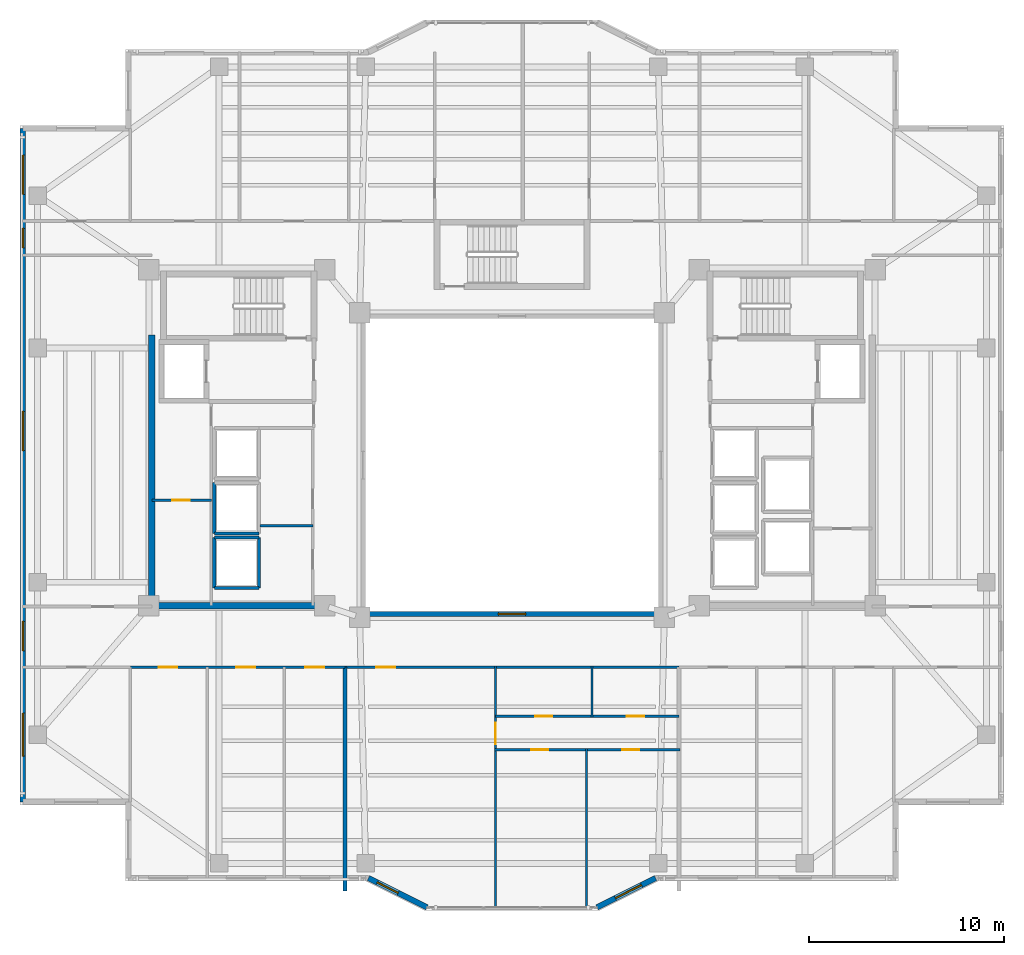
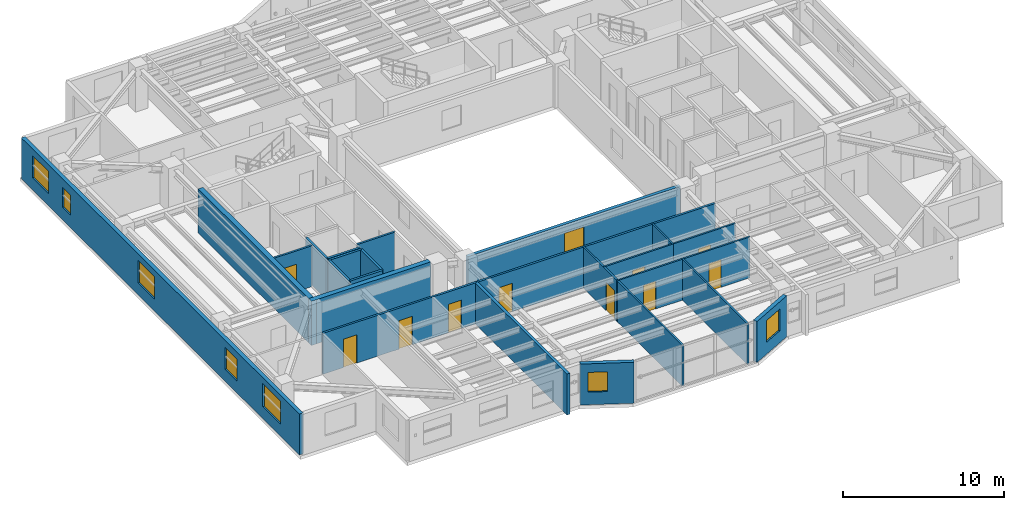
# One storey, part 6 of 15: 23 walls, 10 doors, 8 windows, 18 openings.
"""IFC4 building model written with IfcOpenShell, lengths in metres."""

import ifcopenshell
import ifcopenshell.guid

model = None  # the IFC model being written
_history = None  # IfcOwnerHistory: only IFC2X3 demands one
_inside = {}  # id of a spatial element -> (the spatial element, [elements in it])
_under = {}  # id of a project, library or spatial element -> (it, [spatial elements below it])
_declared = {}  # id of a project -> (the project, [libraries it declares])
_typed = {}  # id of a type object -> (the type object, [elements of that type])
_made_of = {}  # id of a material, layer set ... -> (it, [elements and type objects made of it])


def new_model(schema):
    """Start an empty IFC model of exactly this schema.

    Asked for "IFC4X3", IfcOpenShell would pick the latest addendum, in which some entities
    have other attributes; the version numbers below select the first issue.
    IFC2X3 requires an IfcOwnerHistory on every rooted entity: one is made here for all.
    """
    global model, _history
    if schema == "IFC4X3":
        model = ifcopenshell.file(schema_version=(4, 3, 0, 0))
    else:
        model = ifcopenshell.file(schema=schema)
    _inside.clear()
    _under.clear()
    _declared.clear()
    _typed.clear()
    _made_of.clear()
    _history = None
    if model.schema == "IFC2X3":
        org = make("IfcOrganization", Name="unknown")
        user = make(
            "IfcPersonAndOrganization",
            ThePerson=make("IfcPerson", FamilyName="unknown"),
            TheOrganization=org,
        )
        app = make(
            "IfcApplication",
            ApplicationDeveloper=org,
            Version="unknown",
            ApplicationFullName="unknown",
            ApplicationIdentifier="unknown",
        )
        _history = make(
            "IfcOwnerHistory",
            OwningUser=user,
            OwningApplication=app,
            ChangeAction="ADDED",
            CreationDate=0,
        )
    return model


def make(cls, **values):
    """One entity of the class cls with the attributes given. An attribute that is None is left unset."""
    return model.create_entity(
        cls, **{name: value for name, value in values.items() if value is not None}
    )


def rooted(cls, **values):
    """An entity with a GlobalId (a new one), such as an element, a storey or a relation."""
    return make(cls, GlobalId=ifcopenshell.guid.new(), OwnerHistory=_history, **values)


def si_unit(unit_type, name, prefix=None):
    """IfcSIUnit, for example si_unit("LENGTHUNIT", "METRE", prefix="MILLI")."""
    return make("IfcSIUnit", UnitType=unit_type, Prefix=prefix, Name=name)


def assignment(units):
    """IfcUnitAssignment: the units of a project."""
    return None if units is None else make("IfcUnitAssignment", Units=units)


def point(xyz):
    """IfcCartesianPoint."""
    return None if xyz is None else make("IfcCartesianPoint", Coordinates=xyz)


def direction(xyz):
    """IfcDirection."""
    return None if xyz is None else make("IfcDirection", DirectionRatios=xyz)


def frame(location, z_axis=None, x_axis=None):
    """IfcAxis2Placement3D, a coordinate frame: its origin and axes. An axis left out is left unset."""
    return make(
        "IfcAxis2Placement3D",
        Location=point(location),
        Axis=direction(z_axis),
        RefDirection=direction(x_axis),
    )


def frame_2d(location, x_axis=None):
    """IfcAxis2Placement2D, a coordinate frame in the plane: its origin and x axis."""
    return make(
        "IfcAxis2Placement2D", Location=point(location), RefDirection=direction(x_axis)
    )


def origin():
    """The frame at (0, 0, 0) with its axes left unset."""
    return frame((0.0, 0.0, 0.0))


def place(relative_to, where):
    """IfcLocalPlacement: puts the frame where relative to a parent placement (None: the world)."""
    return make(
        "IfcLocalPlacement", PlacementRelTo=relative_to, RelativePlacement=where
    )


def context(
    kind, dimensions, precision=None, world=None, true_north=None, identifier=None
):
    """IfcGeometricRepresentationContext, for example the 3D "Model" context."""
    return make(
        "IfcGeometricRepresentationContext",
        ContextIdentifier=identifier,
        ContextType=kind,
        CoordinateSpaceDimension=dimensions,
        Precision=precision,
        WorldCoordinateSystem=world,
        TrueNorth=true_north,
    )


def subcontext(parent, identifier, kind, view, scale=None):
    """IfcGeometricRepresentationSubContext, for example "Body" below "Model"."""
    return make(
        "IfcGeometricRepresentationSubContext",
        ContextIdentifier=identifier,
        ContextType=kind,
        ParentContext=parent,
        TargetScale=scale,
        TargetView=view,
    )


def project(units=None, contexts=None):
    """IfcProject with its units and contexts."""
    return rooted(
        "IfcProject",
        Name="project",
        RepresentationContexts=contexts,
        UnitsInContext=assignment(units),
    )


def spatial(cls, under=None, at=None, **own):
    """A site, building, storey or space (cls), placed at a placement, below another one or the project."""
    s = rooted(cls, ObjectPlacement=at, **own)
    if under is not None:
        _under.setdefault(under.id(), (under, []))[1].append(s)
    return s


def profile(cls, at=None, kind="AREA", **sizes):
    """A parametric profile (cls). Its sizes go by their IFC names, for example OverallWidth=200.0."""
    return make(cls, ProfileType=kind, Position=at, **sizes)


def rectangle(**sizes):
    """IfcRectangleProfileDef."""
    return profile("IfcRectangleProfileDef", **sizes)


def extrude(swept, where, along, depth):
    """IfcExtrudedAreaSolid: the profile swept, set in the frame where, extruded along a direction by depth."""
    return make(
        "IfcExtrudedAreaSolid",
        SweptArea=swept,
        Position=where,
        ExtrudedDirection=direction(along),
        Depth=depth,
    )


def shape(context_of_items, identifier, shape_type, items):
    """IfcShapeRepresentation: the items that make up one representation, for example the "Body"."""
    return make(
        "IfcShapeRepresentation",
        ContextOfItems=context_of_items,
        RepresentationIdentifier=identifier,
        RepresentationType=shape_type,
        Items=items,
    )


def material(Name=None, Category=None):
    """IfcMaterial."""
    return make("IfcMaterial", Name=Name, Category=Category)


def layer(
    of_material, thickness, ventilated=None, Name=None, Category=None, Priority=None
):
    """IfcMaterialLayer: one layer of a wall or slab, of a material (None: an air gap)."""
    return make(
        "IfcMaterialLayer",
        Material=of_material,
        LayerThickness=thickness,
        IsVentilated=ventilated,
        Name=Name,
        Category=Category,
        Priority=Priority,
    )


def layer_set(layers, Name=None):
    """IfcMaterialLayerSet."""
    return make("IfcMaterialLayerSet", MaterialLayers=layers, LayerSetName=Name)


def made_of(thing, what):
    """Note that an element or type object is made of a material, layer set ...; save() writes the relation."""
    if what is not None:
        _made_of.setdefault(what.id(), (what, []))[1].append(thing)
    return thing


def type_object(cls, material=None, **own):
    """A type object (cls), such as IfcWallType, which elements share."""
    return made_of(rooted(cls, **own), material)


def element(
    cls,
    number,
    at=None,
    inside=None,
    cuts=None,
    type_object=None,
    material=None,
    context=None,
    identifier="Body",
    shape_type=None,
    held_by="IfcProductDefinitionShape",
    body=None,
    shapes=None,
    **own,
):
    """One element of the class cls, such as IfcWall. Its Tag is "e" and its number.

    at: its placement. inside: the storey or other place that contains it. cuts: it is an
    opening in that element (IfcRelVoidsElement). A single representation is given by context,
    identifier, shape_type and body (its items); several are given by shapes. held_by: the class
    of the entity that holds the representations. save() writes the other relations.
    """
    e = rooted(cls, Tag="e%d" % number, ObjectPlacement=at, **own)
    if body is not None:
        shapes = [shape(context, identifier, shape_type, body)]
    if shapes is not None:
        e.Representation = make(held_by, Representations=shapes)
    if inside is not None:
        _inside.setdefault(inside.id(), (inside, []))[1].append(e)
    if cuts is not None:
        rooted(
            "IfcRelVoidsElement", RelatingBuildingElement=cuts, RelatedOpeningElement=e
        )
    if type_object is not None:
        _typed.setdefault(type_object.id(), (type_object, []))[1].append(e)
    return made_of(e, material)


def fill(opening, filler):
    """IfcRelFillsElement: the door or window that sits in an opening."""
    return rooted(
        "IfcRelFillsElement",
        RelatingOpeningElement=opening,
        RelatedBuildingElement=filler,
    )


def aggregate(whole, parts):
    """IfcRelAggregates: a whole, such as a stair, and the parts it consists of."""
    return rooted("IfcRelAggregates", RelatingObject=whole, RelatedObjects=parts)


def save(model, path):
    """Write the relations noted so far, then the file.

    IfcRelAggregates (storeys below a building ...), IfcRelContainedInSpatialStructure (elements
    in a storey), IfcRelDefinesByType, IfcRelAssociatesMaterial and IfcRelDeclares: one each for
    every whole, place, type object, material and project.
    """
    for whole, parts in _under.values():
        aggregate(whole, parts)
    for where, things in _inside.values():
        rooted(
            "IfcRelContainedInSpatialStructure",
            RelatedElements=things,
            RelatingStructure=where,
        )
    for kind, things in _typed.values():
        rooted("IfcRelDefinesByType", RelatedObjects=things, RelatingType=kind)
    for what, things in _made_of.values():
        rooted("IfcRelAssociatesMaterial", RelatedObjects=things, RelatingMaterial=what)
    for by, libraries in _declared.values():
        rooted("IfcRelDeclares", RelatingContext=by, RelatedDefinitions=libraries)
    model.write(path)


model = new_model("IFC4")

# Units and contexts
model_context = context("Model", 3, precision=1e-05, world=origin(), true_north=direction((0.0, 1.0)))
body_context = subcontext(model_context, "Body", "Model", "MODEL_VIEW")
ifc_project = project(units=[si_unit("LENGTHUNIT", "METRE"), si_unit("AREAUNIT", "SQUARE_METRE"), si_unit("VOLUMEUNIT", "CUBIC_METRE"), si_unit("PLANEANGLEUNIT", "RADIAN"), si_unit("MASSUNIT", "GRAM", prefix="KILO")], contexts=[model_context])

# Site, building, storey
site_placement = place(None, origin())
site = spatial("IfcSite", under=ifc_project, at=site_placement, CompositionType="ELEMENT")
building_placement = place(site_placement, origin())
building = spatial("IfcBuilding", under=site, at=building_placement, Name="Tarnavaz Court Tower", CompositionType="ELEMENT")
storey_placement = place(building_placement, frame((0.0, 0.0, 142.64990234375)))
storey = spatial("IfcBuildingStorey", under=building, at=storey_placement, Name="L38", CompositionType="ELEMENT", Elevation=142.64990234375)

# Walls
ifc_material_1 = material(Name="Concrete C50/60", Category="concrete")
ifc_layer_1 = layer(ifc_material_1, 0.35009765625)
ifc_layer_set_1 = layer_set([ifc_layer_1], Name="Concrete C50/60")
wall_type_1 = type_object("IfcWallType", Name="WL-CORE-350-C50", PredefinedType="SHEAR", material=ifc_layer_set_1)
wall_1_placement = place(storey_placement, frame((-18.449951171875, -7.375, 0.0), z_axis=(0.0, 0.0, 1.0), x_axis=(0.0, 1.0, 0.0)))
element("IfcWall", 1, at=wall_1_placement, inside=storey, type_object=wall_type_1, Name="L38 West Core Shear Wall 057", PredefinedType="SHEAR", context=body_context, shape_type="SweptSolid", body=[
    extrude(rectangle(XDim=14.050048828125, YDim=0.35009765625, at=frame_2d((7.02490234375, 0.0))), origin(), (0.0, 0.0, 1.0), 3.35009765625),
])
wall_2_placement = place(storey_placement, frame((-18.625, -7.199951171875, 0.0), z_axis=(0.0, 0.0, 1.0), x_axis=(1.0, 0.0, 0.0)))
element("IfcWall", 2, at=wall_2_placement, inside=storey, type_object=wall_type_1, Name="L38 West Core South Shear Wall 058", PredefinedType="SHEAR", context=body_context, shape_type="SweptSolid", body=[
    extrude(rectangle(XDim=8.550048828125, YDim=0.35009765625, at=frame_2d((4.27490234375, 0.0))), origin(), (0.0, 0.0, 1.0), 3.35009765625),
])

# Wall, openings, windows
ifc_material_2 = material(Name="Precast Concrete C40/50", Category="concrete")
ifc_layer_2 = layer(ifc_material_2, 0.280029296875)
ifc_layer_set_2 = layer_set([ifc_layer_2], Name="Precast Concrete C40/50")
wall_type_2 = type_object("IfcWallType", Name="WL-EXT-280", PredefinedType="SOLIDWALL", material=ifc_layer_set_2)
wall_3_placement = place(storey_placement, frame((-25.050048828125, -17.25, 0.0), z_axis=(0.0, 0.0, 1.0), x_axis=(0.0, 1.0, 0.0)))
wall_3 = element("IfcWall", 3, at=wall_3_placement, inside=storey, type_object=wall_type_2, Name="L38 Exterior Terracotta Facade Wall 02", PredefinedType="SOLIDWALL", context=body_context, shape_type="SweptSolid", body=[
    extrude(rectangle(XDim=34.5, YDim=0.280029296875, at=frame_2d((17.25, 0.0))), origin(), (0.0, 0.0, 1.0), 3.10009765625),
])
opening_1_placement = place(wall_3_placement, frame((2.35009765625, 0.0, 0.89990234375)))
opening_1 = element("IfcOpeningElement", 4, at=opening_1_placement, cuts=wall_3, Name="Opening W07", PredefinedType="OPENING", context=body_context, shape_type="SweptSolid", body=[
    extrude(rectangle(XDim=2.199951171875, YDim=1.75, at=frame_2d((1.10009765625, 0.875))), frame((0.0, 0.14990234375, 0.0), z_axis=(0.0, -1.0, 0.0), x_axis=(1.0, 0.0, 0.0)), (0.0, 0.0, 1.0), 0.300048828125),
])
opening_2_placement = place(wall_3_placement, frame((7.742431640625, 0.0, 0.89990234375)))
opening_2 = element("IfcOpeningElement", 5, at=opening_2_placement, cuts=wall_3, Name="Opening W03", PredefinedType="OPENING", context=body_context, shape_type="SweptSolid", body=[
    extrude(rectangle(XDim=1.5, YDim=1.64990234375, at=frame_2d((0.75, 0.824951171875))), frame((0.0, 0.14990234375, 0.0), z_axis=(0.0, -1.0, 0.0), x_axis=(1.0, 0.0, 0.0)), (0.0, 0.0, 1.0), 0.300048828125),
])
opening_3_placement = place(wall_3_placement, frame((18.0, 0.0, 0.89990234375)))
opening_3 = element("IfcOpeningElement", 6, at=opening_3_placement, cuts=wall_3, Name="Opening W08", PredefinedType="OPENING", context=body_context, shape_type="SweptSolid", body=[
    extrude(rectangle(XDim=2.0, YDim=1.699951171875, at=frame_2d((1.0, 0.85009765625))), frame((0.0, 0.14990234375, 0.0), z_axis=(0.0, -1.0, 0.0), x_axis=(1.0, 0.0, 0.0)), (0.0, 0.0, 1.0), 0.300048828125),
])
opening_4_placement = place(wall_3_placement, frame((28.375, 0.0, 0.949951171875)))
opening_4 = element("IfcOpeningElement", 7, at=opening_4_placement, cuts=wall_3, Name="Opening W14", PredefinedType="OPENING", context=body_context, shape_type="SweptSolid", body=[
    extrude(rectangle(XDim=1.0, YDim=1.5, at=frame_2d((0.5, 0.75))), frame((0.0, 0.14990234375, 0.0), z_axis=(0.0, -1.0, 0.0), x_axis=(1.0, 0.0, 0.0)), (0.0, 0.0, 1.0), 0.300048828125),
])
opening_5_placement = place(wall_3_placement, frame((31.125, 0.0, 0.89990234375)))
opening_5 = element("IfcOpeningElement", 8, at=opening_5_placement, cuts=wall_3, Name="Opening W08", PredefinedType="OPENING", context=body_context, shape_type="SweptSolid", body=[
    extrude(rectangle(XDim=2.0, YDim=1.699951171875, at=frame_2d((1.0, 0.85009765625))), frame((0.0, 0.14990234375, 0.0), z_axis=(0.0, -1.0, 0.0), x_axis=(1.0, 0.0, 0.0)), (0.0, 0.0, 1.0), 0.300048828125),
])
ifc_material_3 = material(Name="Double-Glazed Solar Low-E Glass", Category="glass")
window_type_1 = type_object("IfcWindowType", Name="WN-APT-1000", PartitioningType="SINGLE_PANEL", PredefinedType="WINDOW", material=ifc_material_3)
window_1_placement = place(opening_4_placement, origin())
window_1 = element("IfcWindow", 9, at=window_1_placement, inside=storey, type_object=window_type_1, Name="L38 North-West Corner Corridor Window", OverallHeight=1.5, OverallWidth=1.0, PartitioningType="SINGLE_PANEL", PredefinedType="WINDOW", context=body_context, shape_type="SweptSolid", body=[
    extrude(rectangle(XDim=1.0, YDim=1.5, at=frame_2d((0.5, 0.75))), frame((0.0, 0.030029296875, 0.0), z_axis=(0.0, -1.0, 0.0), x_axis=(1.0, 0.0, 0.0)), (0.0, 0.0, 1.0), 0.06005859375),
])
fill(opening_4, window_1)
window_type_2 = type_object("IfcWindowType", Name="WN-APT-1500", PartitioningType="DOUBLE_PANEL_VERTICAL", PredefinedType="WINDOW", material=ifc_material_3)
window_2_placement = place(opening_2_placement, origin())
window_2 = element("IfcWindow", 10, at=window_2_placement, inside=storey, type_object=window_type_2, Name="L38 South-West Corner Corridor Window", OverallHeight=1.64990234375, OverallWidth=1.5, PartitioningType="SINGLE_PANEL", PredefinedType="WINDOW", context=body_context, shape_type="SweptSolid", body=[
    extrude(rectangle(XDim=1.5, YDim=1.64990234375, at=frame_2d((0.75, 0.824951171875))), frame((0.0, 0.030029296875, 0.0), z_axis=(0.0, -1.0, 0.0), x_axis=(1.0, 0.0, 0.0)), (0.0, 0.0, 1.0), 0.06005859375),
])
fill(opening_2, window_2)
window_type_3 = type_object("IfcWindowType", Name="WN-APT-2000", PartitioningType="DOUBLE_PANEL_VERTICAL", PredefinedType="WINDOW", material=ifc_material_3)
window_3_placement = place(opening_3_placement, origin())
window_3 = element("IfcWindow", 11, at=window_3_placement, inside=storey, type_object=window_type_3, Name="L38 West Wing Panoramic Study Gallery Window", OverallHeight=1.699951171875, OverallWidth=2.0, PartitioningType="SINGLE_PANEL", PredefinedType="WINDOW", context=body_context, shape_type="SweptSolid", body=[
    extrude(rectangle(XDim=2.0, YDim=1.699951171875, at=frame_2d((1.0, 0.85009765625))), frame((0.0, 0.030029296875, 0.0), z_axis=(0.0, -1.0, 0.0), x_axis=(1.0, 0.0, 0.0)), (0.0, 0.0, 1.0), 0.06005859375),
])
fill(opening_3, window_3)
window_4_placement = place(opening_5_placement, origin())
window_4 = element("IfcWindow", 12, at=window_4_placement, inside=storey, type_object=window_type_3, Name="L38 North-West Corner Sunroom Study Window", OverallHeight=1.699951171875, OverallWidth=2.0, PartitioningType="SINGLE_PANEL", PredefinedType="WINDOW", context=body_context, shape_type="SweptSolid", body=[
    extrude(rectangle(XDim=2.0, YDim=1.699951171875, at=frame_2d((1.0, 0.85009765625))), frame((0.0, 0.030029296875, 0.0), z_axis=(0.0, -1.0, 0.0), x_axis=(1.0, 0.0, 0.0)), (0.0, 0.0, 1.0), 0.06005859375),
])
fill(opening_5, window_4)
window_type_4 = type_object("IfcWindowType", Name="WN-APT-2200", PartitioningType="TRIPLE_PANEL_VERTICAL", PredefinedType="WINDOW", material=ifc_material_3)
window_5_placement = place(opening_1_placement, origin())
window_5 = element("IfcWindow", 13, at=window_5_placement, inside=storey, type_object=window_type_4, Name="L38 South-West Corner Reading Room Window", OverallHeight=1.75, OverallWidth=2.199951171875, PartitioningType="SINGLE_PANEL", PredefinedType="WINDOW", context=body_context, shape_type="SweptSolid", body=[
    extrude(rectangle(XDim=2.199951171875, YDim=1.75, at=frame_2d((1.10009765625, 0.875))), frame((0.0, 0.030029296875, 0.0), z_axis=(0.0, -1.0, 0.0), x_axis=(1.0, 0.0, 0.0)), (0.0, 0.0, 1.0), 0.06005859375),
])
fill(opening_1, window_5)

# Wall, opening, window
wall_4_placement = place(storey_placement, frame((7.35009765625, -21.14990234375, 0.0), z_axis=(0.0, 0.0, 1.0), x_axis=(-0.894427191, -0.4472135955, 0.0)))
wall_4 = element("IfcWall", 14, at=wall_4_placement, inside=storey, type_object=wall_type_2, Name="L38 Exterior Terracotta Facade Wall 16", PredefinedType="SOLIDWALL", context=body_context, shape_type="SweptSolid", body=[
    extrude(rectangle(XDim=3.35400390625, YDim=0.280029296875, at=frame_2d((1.677001953125, 0.0))), origin(), (0.0, 0.0, 1.0), 3.10009765625),
])
opening_6_placement = place(wall_4_placement, frame((0.796875, 0.0, 0.89990234375)))
opening_6 = element("IfcOpeningElement", 15, at=opening_6_placement, cuts=wall_4, Name="Opening W03", PredefinedType="OPENING", context=body_context, shape_type="SweptSolid", body=[
    extrude(rectangle(XDim=1.5, YDim=1.64990234375, at=frame_2d((0.75, 0.824951171875))), frame((0.0, 0.14990234375, 0.0), z_axis=(0.0, -1.0, 0.0), x_axis=(1.0, 0.0, 0.0)), (0.0, 0.0, 1.0), 0.300048828125),
])
window_6_placement = place(opening_6_placement, origin())
window_6 = element("IfcWindow", 16, at=window_6_placement, inside=storey, type_object=window_type_2, Name="L38 Flat 01 Bedroom 2 Window", OverallHeight=1.64990234375, OverallWidth=1.5, PartitioningType="SINGLE_PANEL", PredefinedType="WINDOW", context=body_context, shape_type="SweptSolid", body=[
    extrude(rectangle(XDim=1.5, YDim=1.64990234375, at=frame_2d((0.75, 0.824951171875))), frame((0.0, 0.030029296875, 0.0), z_axis=(0.0, -1.0, 0.0), x_axis=(1.0, 0.0, 0.0)), (0.0, 0.0, 1.0), 0.06005859375),
])
fill(opening_6, window_6)

wall_5_placement = place(storey_placement, frame((-4.35009765625, -22.64990234375, 0.0), z_axis=(0.0, 0.0, 1.0), x_axis=(-0.894427191, 0.4472135955, 0.0)))
wall_5 = element("IfcWall", 17, at=wall_5_placement, inside=storey, type_object=wall_type_2, Name="L38 Exterior Terracotta Facade Wall 18", PredefinedType="SOLIDWALL", context=body_context, shape_type="SweptSolid", body=[
    extrude(rectangle(XDim=3.35400390625, YDim=0.280029296875, at=frame_2d((1.677001953125, 0.0))), origin(), (0.0, 0.0, 1.0), 3.10009765625),
])
opening_7_placement = place(wall_5_placement, frame((1.65283203125, 0.0, 0.949951171875)))
opening_7 = element("IfcOpeningElement", 18, at=opening_7_placement, cuts=wall_5, Name="Opening W05", PredefinedType="OPENING", context=body_context, shape_type="SweptSolid", body=[
    extrude(rectangle(XDim=1.199951171875, YDim=1.5, at=frame_2d((0.60009765625, 0.75))), frame((0.0, 0.14990234375, 0.0), z_axis=(0.0, -1.0, 0.0), x_axis=(1.0, 0.0, 0.0)), (0.0, 0.0, 1.0), 0.300048828125),
])
window_type_5 = type_object("IfcWindowType", Name="WN-APT-1200", PartitioningType="SINGLE_PANEL", PredefinedType="WINDOW", material=ifc_material_3)
window_7_placement = place(opening_7_placement, origin())
window_7 = element("IfcWindow", 19, at=window_7_placement, inside=storey, type_object=window_type_5, Name="L38 Flat 01 Living and Dining Room Window", OverallHeight=1.5, OverallWidth=1.199951171875, PartitioningType="SINGLE_PANEL", PredefinedType="WINDOW", context=body_context, shape_type="SweptSolid", body=[
    extrude(rectangle(XDim=1.199951171875, YDim=1.5, at=frame_2d((0.60009765625, 0.75))), frame((0.0, 0.030029296875, 0.0), z_axis=(0.0, -1.0, 0.0), x_axis=(1.0, 0.0, 0.0)), (0.0, 0.0, 1.0), 0.06005859375),
])
fill(opening_7, window_7)

# Wall, openings, doors
ifc_material_4 = material(Name="Gypsum Fire-Board on Acoustic Metal Stud", Category="masonry")
ifc_layer_3 = layer(ifc_material_4, 0.14990234375)
ifc_layer_set_3 = layer_set([ifc_layer_3], Name="Gypsum Fire-Board on Acoustic Metal Stud")
wall_type_3 = type_object("IfcWallType", Name="WL-FIRE-150", PredefinedType="PARTITIONING", material=ifc_layer_set_3)
wall_6_placement = place(storey_placement, frame((-19.550048828125, -10.35009765625, 0.0), z_axis=(0.0, 0.0, 1.0), x_axis=(1.0, 0.0, 0.0)))
wall_6 = element("IfcWall", 20, at=wall_6_placement, inside=storey, type_object=wall_type_3, Name="L38 SW Horseshoe Wall 073", PredefinedType="PARTITIONING", context=body_context, shape_type="SweptSolid", body=[
    extrude(rectangle(XDim=11.0, YDim=0.14990234375, at=frame_2d((5.5, 0.0))), origin(), (0.0, 0.0, 1.0), 3.10009765625),
])
opening_8_placement = place(wall_6_placement, frame((1.466064453125, 0.0, 0.0)))
opening_8 = element("IfcOpeningElement", 21, at=opening_8_placement, cuts=wall_6, Name="Opening D13", PredefinedType="OPENING", context=body_context, shape_type="SweptSolid", body=[
    extrude(rectangle(XDim=0.949951171875, YDim=2.14990234375, at=frame_2d((0.47509765625, 1.074951171875))), frame((0.0, 0.0849609375, 0.0), z_axis=(0.0, -1.0, 0.0), x_axis=(1.0, 0.0, 0.0)), (0.0, 0.0, 1.0), 0.169921875),
])
opening_9_placement = place(wall_6_placement, frame((5.43798828125, 0.0, 0.0)))
opening_9 = element("IfcOpeningElement", 22, at=opening_9_placement, cuts=wall_6, Name="Opening D13", PredefinedType="OPENING", context=body_context, shape_type="SweptSolid", body=[
    extrude(rectangle(XDim=0.949951171875, YDim=2.14990234375, at=frame_2d((0.47509765625, 1.074951171875))), frame((0.0, 0.0849609375, 0.0), z_axis=(0.0, -1.0, 0.0), x_axis=(1.0, 0.0, 0.0)), (0.0, 0.0, 1.0), 0.169921875),
])
opening_10_placement = place(wall_6_placement, frame((8.971923828125, 0.0, 0.0)))
opening_10 = element("IfcOpeningElement", 23, at=opening_10_placement, cuts=wall_6, Name="Opening D13", PredefinedType="OPENING", context=body_context, shape_type="SweptSolid", body=[
    extrude(rectangle(XDim=0.949951171875, YDim=2.14990234375, at=frame_2d((0.47509765625, 1.074951171875))), frame((0.0, 0.0849609375, 0.0), z_axis=(0.0, -1.0, 0.0), x_axis=(1.0, 0.0, 0.0)), (0.0, 0.0, 1.0), 0.169921875),
])
ifc_material_5 = material(Name="Engineered Oak Timber", Category="wood")
door_type_1 = type_object("IfcDoorType", Name="DR-INT-950", OperationType="NOTDEFINED", PredefinedType="DOOR", material=ifc_material_5)
door_1_placement = place(opening_8_placement, origin())
door_1 = element("IfcDoor", 24, at=door_1_placement, inside=storey, type_object=door_type_1, Name="L38 Resident Fitness and Yoga Studio Door", OperationType="SINGLE_SWING_LEFT", OverallHeight=2.14990234375, OverallWidth=0.949951171875, PredefinedType="DOOR", context=body_context, shape_type="SweptSolid", body=[
    extrude(rectangle(XDim=0.949951171875, YDim=2.14990234375, at=frame_2d((0.47509765625, 1.074951171875))), frame((0.0, 0.02490234375, 0.0), z_axis=(0.0, -1.0, 0.0), x_axis=(1.0, 0.0, 0.0)), (0.0, 0.0, 1.0), 0.050048828125),
])
fill(opening_8, door_1)
door_2_placement = place(opening_9_placement, origin())
door_2 = element("IfcDoor", 25, at=door_2_placement, inside=storey, type_object=door_type_1, Name="L38 Children Playroom and Daycare Door", OperationType="SINGLE_SWING_RIGHT", OverallHeight=2.14990234375, OverallWidth=0.949951171875, PredefinedType="DOOR", context=body_context, shape_type="SweptSolid", body=[
    extrude(rectangle(XDim=0.949951171875, YDim=2.14990234375, at=frame_2d((0.47509765625, 1.074951171875))), frame((0.0, 0.02490234375, 0.0), z_axis=(0.0, -1.0, 0.0), x_axis=(1.0, 0.0, 0.0)), (0.0, 0.0, 1.0), 0.050048828125),
])
fill(opening_9, door_2)
door_3_placement = place(opening_10_placement, origin())
door_3 = element("IfcDoor", 26, at=door_3_placement, inside=storey, type_object=door_type_1, Name="L38 Shared Community Tea Pantry Door", OperationType="SINGLE_SWING_LEFT", OverallHeight=2.14990234375, OverallWidth=0.949951171875, PredefinedType="DOOR", context=body_context, shape_type="SweptSolid", body=[
    extrude(rectangle(XDim=0.949951171875, YDim=2.14990234375, at=frame_2d((0.47509765625, 1.074951171875))), frame((0.0, 0.02490234375, 0.0), z_axis=(0.0, -1.0, 0.0), x_axis=(1.0, 0.0, 0.0)), (0.0, 0.0, 1.0), 0.050048828125),
])
fill(opening_10, door_3)

# Wall, opening, door
wall_7_placement = place(storey_placement, frame((-8.550048828125, -10.35009765625, 0.0), z_axis=(0.0, 0.0, 1.0), x_axis=(1.0, 0.0, 0.0)))
wall_7 = element("IfcWall", 27, at=wall_7_placement, inside=storey, type_object=wall_type_3, Name="L38 Interior Partition 088", PredefinedType="PARTITIONING", context=body_context, shape_type="SweptSolid", body=[
    extrude(rectangle(XDim=17.10009765625, YDim=0.14990234375, at=frame_2d((8.550048828125, 0.0))), origin(), (0.0, 0.0, 1.0), 3.10009765625),
])
opening_11_placement = place(wall_7_placement, frame((1.60009765625, 0.0, 0.0)))
opening_11 = element("IfcOpeningElement", 28, at=opening_11_placement, cuts=wall_7, Name="Opening D06", PredefinedType="OPENING", context=body_context, shape_type="SweptSolid", body=[
    extrude(rectangle(XDim=0.9599609375, YDim=2.14990234375, at=frame_2d((0.47998046875, 1.074951171875))), frame((0.0, 0.0849609375, 0.0), z_axis=(0.0, -1.0, 0.0), x_axis=(1.0, 0.0, 0.0)), (0.0, 0.0, 1.0), 0.169921875),
])
ifc_material_6 = material(Name="Fire-Rated Hardwood Timber Core", Category="wood")
door_type_2 = type_object("IfcDoorType", Name="DR-FD60-950", OperationType="NOTDEFINED", PredefinedType="DOOR", material=ifc_material_6)
door_4_placement = place(opening_11_placement, origin())
door_4 = element("IfcDoor", 29, at=door_4_placement, inside=storey, type_object=door_type_2, Name="L38 Flat 01 Entrance Door", OperationType="SINGLE_SWING_LEFT", OverallHeight=2.14990234375, OverallWidth=0.9599609375, PredefinedType="DOOR", context=body_context, shape_type="SweptSolid", body=[
    extrude(rectangle(XDim=0.9599609375, YDim=2.14990234375, at=frame_2d((0.47998046875, 1.074951171875))), frame((0.0, 0.02490234375, 0.0), z_axis=(0.0, -1.0, 0.0), x_axis=(1.0, 0.0, 0.0)), (0.0, 0.0, 1.0), 0.050048828125),
])
fill(opening_11, door_4)

# Wall
ifc_material_7 = material(Name="Autoclaved Aerated Concrete Blockwork", Category="masonry")
ifc_layer_4 = layer(ifc_material_7, 0.199951171875)
ifc_layer_set_4 = layer_set([ifc_layer_4], Name="Autoclaved Aerated Concrete Blockwork")
wall_type_4 = type_object("IfcWallType", Name="WL-FIRE-200", PredefinedType="SOLIDWALL", material=ifc_layer_set_4)
wall_8_placement = place(storey_placement, frame((-8.550048828125, -21.803955078125, 0.0), z_axis=(0.0, 0.0, 1.0), x_axis=(0.0, 1.0, 0.0)))
element("IfcWall", 30, at=wall_8_placement, inside=storey, type_object=wall_type_4, Name="L38 Party Wall 086", PredefinedType="SOLIDWALL", context=body_context, shape_type="SweptSolid", body=[
    extrude(rectangle(XDim=11.453857421875, YDim=0.199951171875, at=frame_2d((5.72705078125, 0.0))), origin(), (0.0, 0.0, 1.0), 3.10009765625),
])

# Wall, opening, door
ifc_material_8 = material(Name="Moisture-Resistant Gypsum Board Partition", Category="masonry")
ifc_layer_5 = layer(ifc_material_8, 0.1201171875)
ifc_layer_set_5 = layer_set([ifc_layer_5], Name="Moisture-Resistant Gypsum Board Partition")
wall_type_5 = type_object("IfcWallType", Name="WL-PART-120", PredefinedType="PARTITIONING", material=ifc_layer_set_5)
wall_9_placement = place(storey_placement, frame((-0.844970703125, -22.679931640625, 0.0), z_axis=(0.0, 0.0, 1.0), x_axis=(0.0, 1.0, 0.0)))
wall_9 = element("IfcWall", 31, at=wall_9_placement, inside=storey, type_object=wall_type_5, Name="L38 Interior Partition 089", PredefinedType="PARTITIONING", context=body_context, shape_type="SweptSolid", body=[
    extrude(rectangle(XDim=12.389892578125, YDim=0.1201171875, at=frame_2d((6.19482421875, 0.0))), origin(), (0.0, 0.0, 1.0), 3.10009765625),
])
opening_12_placement = place(wall_9_placement, frame((8.39501953125, 0.0, 0.0)))
opening_12 = element("IfcOpeningElement", 32, at=opening_12_placement, cuts=wall_9, Name="Opening D12", PredefinedType="OPENING", context=body_context, shape_type="SweptSolid", body=[
    extrude(rectangle(XDim=1.080078125, YDim=2.14990234375, at=frame_2d((0.5400390625, 1.074951171875))), frame((0.0, 0.070068359375, 0.0), z_axis=(0.0, -1.0, 0.0), x_axis=(1.0, 0.0, 0.0)), (0.0, 0.0, 1.0), 0.14013671875),
])
door_type_3 = type_object("IfcDoorType", Name="DR-INT-1100", OperationType="NOTDEFINED", PredefinedType="DOOR", material=ifc_material_5)
door_5_placement = place(opening_12_placement, origin())
door_5 = element("IfcDoor", 33, at=door_5_placement, inside=storey, type_object=door_type_3, Name="L38 Flat 01 Foyer Door", OperationType="SINGLE_SWING_RIGHT", OverallHeight=2.14990234375, OverallWidth=1.080078125, PredefinedType="DOOR", context=body_context, shape_type="SweptSolid", body=[
    extrude(rectangle(XDim=1.080078125, YDim=2.14990234375, at=frame_2d((0.5400390625, 1.074951171875))), frame((0.0, 0.02490234375, 0.0), z_axis=(0.0, -1.0, 0.0), x_axis=(1.0, 0.0, 0.0)), (0.0, 0.0, 1.0), 0.050048828125),
])
fill(opening_12, door_5)

wall_10_placement = place(storey_placement, frame((-0.844970703125, -12.860107421875, 0.0), z_axis=(0.0, 0.0, 1.0), x_axis=(1.0, 0.0, 0.0)))
wall_10 = element("IfcWall", 34, at=wall_10_placement, inside=storey, type_object=wall_type_5, Name="L38 Interior Partition 090", PredefinedType="PARTITIONING", context=body_context, shape_type="SweptSolid", body=[
    extrude(rectangle(XDim=4.94189453125, YDim=0.1201171875, at=frame_2d((2.470947265625, 0.0))), origin(), (0.0, 0.0, 1.0), 3.10009765625),
])
opening_13_placement = place(wall_10_placement, frame((2.031005859375, 0.0, 0.0)))
opening_13 = element("IfcOpeningElement", 35, at=opening_13_placement, cuts=wall_10, Name="Opening D14", PredefinedType="OPENING", context=body_context, shape_type="SweptSolid", body=[
    extrude(rectangle(XDim=0.8798828125, YDim=2.10009765625, at=frame_2d((0.43994140625, 1.050048828125))), frame((0.0, 0.070068359375, 0.0), z_axis=(0.0, -1.0, 0.0), x_axis=(1.0, 0.0, 0.0)), (0.0, 0.0, 1.0), 0.14013671875),
])
door_type_4 = type_object("IfcDoorType", Name="DR-INT-900", OperationType="NOTDEFINED", PredefinedType="DOOR", material=ifc_material_5)
door_6_placement = place(opening_13_placement, origin())
door_6 = element("IfcDoor", 36, at=door_6_placement, inside=storey, type_object=door_type_4, Name="L38 Flat 01 Kitchen Door", OperationType="SINGLE_SWING_LEFT", OverallHeight=2.10009765625, OverallWidth=0.8798828125, PredefinedType="DOOR", context=body_context, shape_type="SweptSolid", body=[
    extrude(rectangle(XDim=0.8798828125, YDim=2.10009765625, at=frame_2d((0.43994140625, 1.050048828125))), frame((0.0, 0.02490234375, 0.0), z_axis=(0.0, -1.0, 0.0), x_axis=(1.0, 0.0, 0.0)), (0.0, 0.0, 1.0), 0.050048828125),
])
fill(opening_13, door_6)

wall_11_placement = place(storey_placement, frame((4.096923828125, -12.860107421875, 0.0), z_axis=(0.0, 0.0, 1.0), x_axis=(1.0, 0.0, 0.0)))
wall_11 = element("IfcWall", 37, at=wall_11_placement, inside=storey, type_object=wall_type_5, Name="L38 Interior Partition 091", PredefinedType="PARTITIONING", context=body_context, shape_type="SweptSolid", body=[
    extrude(rectangle(XDim=4.453125, YDim=0.1201171875, at=frame_2d((2.2265625, 0.0))), origin(), (0.0, 0.0, 1.0), 3.10009765625),
])
opening_14_placement = place(wall_11_placement, frame((1.787109375, 0.0, 0.0)))
opening_14 = element("IfcOpeningElement", 38, at=opening_14_placement, cuts=wall_11, Name="Opening D14", PredefinedType="OPENING", context=body_context, shape_type="SweptSolid", body=[
    extrude(rectangle(XDim=0.8798828125, YDim=2.10009765625, at=frame_2d((0.43994140625, 1.050048828125))), frame((0.0, 0.070068359375, 0.0), z_axis=(0.0, -1.0, 0.0), x_axis=(1.0, 0.0, 0.0)), (0.0, 0.0, 1.0), 0.14013671875),
])
door_7_placement = place(opening_14_placement, origin())
door_7 = element("IfcDoor", 39, at=door_7_placement, inside=storey, type_object=door_type_4, Name="L38 Flat 01 Bathroom Door", OperationType="SINGLE_SWING_RIGHT", OverallHeight=2.10009765625, OverallWidth=0.8798828125, PredefinedType="DOOR", context=body_context, shape_type="SweptSolid", body=[
    extrude(rectangle(XDim=0.8798828125, YDim=2.10009765625, at=frame_2d((0.43994140625, 1.050048828125))), frame((0.0, 0.02490234375, 0.0), z_axis=(0.0, -1.0, 0.0), x_axis=(1.0, 0.0, 0.0)), (0.0, 0.0, 1.0), 0.050048828125),
])
fill(opening_14, door_7)

# Wall, openings, doors
wall_12_placement = place(storey_placement, frame((-0.905029296875, -14.570068359375, 0.0), z_axis=(0.0, 0.0, 1.0), x_axis=(1.0, 0.0, 0.0)))
wall_12 = element("IfcWall", 40, at=wall_12_placement, inside=storey, type_object=wall_type_5, Name="L38 Interior Partition 092", PredefinedType="PARTITIONING", context=body_context, shape_type="SweptSolid", body=[
    extrude(rectangle(XDim=9.51513671875, YDim=0.1201171875, at=frame_2d((4.757568359375, 0.0))), origin(), (0.0, 0.0, 1.0), 3.10009765625),
])
opening_15_placement = place(wall_12_placement, frame((1.89111328125, 0.0, 0.0)))
opening_15 = element("IfcOpeningElement", 41, at=opening_15_placement, cuts=wall_12, Name="Opening D14", PredefinedType="OPENING", context=body_context, shape_type="SweptSolid", body=[
    extrude(rectangle(XDim=0.8798828125, YDim=2.10009765625, at=frame_2d((0.43994140625, 1.050048828125))), frame((0.0, 0.070068359375, 0.0), z_axis=(0.0, -1.0, 0.0), x_axis=(1.0, 0.0, 0.0)), (0.0, 0.0, 1.0), 0.14013671875),
])
opening_16_placement = place(wall_12_placement, frame((6.553955078125, 0.0, 0.0)))
opening_16 = element("IfcOpeningElement", 42, at=opening_16_placement, cuts=wall_12, Name="Opening D14", PredefinedType="OPENING", context=body_context, shape_type="SweptSolid", body=[
    extrude(rectangle(XDim=0.8798828125, YDim=2.10009765625, at=frame_2d((0.43994140625, 1.050048828125))), frame((0.0, 0.070068359375, 0.0), z_axis=(0.0, -1.0, 0.0), x_axis=(1.0, 0.0, 0.0)), (0.0, 0.0, 1.0), 0.14013671875),
])
door_8_placement = place(opening_15_placement, origin())
door_8 = element("IfcDoor", 43, at=door_8_placement, inside=storey, type_object=door_type_4, Name="L38 Flat 01 Bedroom 1 Door", OperationType="SINGLE_SWING_LEFT", OverallHeight=2.10009765625, OverallWidth=0.8798828125, PredefinedType="DOOR", context=body_context, shape_type="SweptSolid", body=[
    extrude(rectangle(XDim=0.8798828125, YDim=2.10009765625, at=frame_2d((0.43994140625, 1.050048828125))), frame((0.0, 0.02490234375, 0.0), z_axis=(0.0, -1.0, 0.0), x_axis=(1.0, 0.0, 0.0)), (0.0, 0.0, 1.0), 0.050048828125),
])
fill(opening_15, door_8)
door_9_placement = place(opening_16_placement, origin())
door_9 = element("IfcDoor", 44, at=door_9_placement, inside=storey, type_object=door_type_4, Name="L38 Flat 01 Bedroom 2 Door", OperationType="SINGLE_SWING_RIGHT", OverallHeight=2.10009765625, OverallWidth=0.8798828125, PredefinedType="DOOR", context=body_context, shape_type="SweptSolid", body=[
    extrude(rectangle(XDim=0.8798828125, YDim=2.10009765625, at=frame_2d((0.43994140625, 1.050048828125))), frame((0.0, 0.02490234375, 0.0), z_axis=(0.0, -1.0, 0.0), x_axis=(1.0, 0.0, 0.0)), (0.0, 0.0, 1.0), 0.050048828125),
])
fill(opening_16, door_9)

# Walls
wall_13_placement = place(storey_placement, frame((4.096923828125, -12.919921875, 0.0), z_axis=(0.0, 0.0, 1.0), x_axis=(0.0, 1.0, 0.0)))
element("IfcWall", 45, at=wall_13_placement, inside=storey, type_object=wall_type_5, Name="L38 Interior Partition 093", PredefinedType="PARTITIONING", context=body_context, shape_type="SweptSolid", body=[
    extrude(rectangle(XDim=2.6298828125, YDim=0.1201171875, at=frame_2d((1.31494140625, 0.0))), origin(), (0.0, 0.0, 1.0), 3.10009765625),
])
wall_14_placement = place(storey_placement, frame((3.818115234375, -22.679931640625, 0.0), z_axis=(0.0, 0.0, 1.0), x_axis=(0.0, 1.0, 0.0)))
element("IfcWall", 46, at=wall_14_placement, inside=storey, type_object=wall_type_5, Name="L38 Interior Partition 094", PredefinedType="PARTITIONING", context=body_context, shape_type="SweptSolid", body=[
    extrude(rectangle(XDim=8.169921875, YDim=0.1201171875, at=frame_2d((4.0849609375, 0.0))), origin(), (0.0, 0.0, 1.0), 3.10009765625),
])

# Wall, opening, door
ifc_material_9 = material(Name="Gypsum Plasterboard Acoustic Partition", Category="masonry")
ifc_layer_6 = layer(ifc_material_9, 0.139892578125)
ifc_layer_set_6 = layer_set([ifc_layer_6], Name="Gypsum Plasterboard Acoustic Partition")
wall_type_6 = type_object("IfcWallType", Name="WL-PART-150", PredefinedType="PARTITIONING", material=ifc_layer_set_6)
wall_15_placement = place(storey_placement, frame((-18.449951171875, -1.800048828125, 0.0), z_axis=(0.0, 0.0, 1.0), x_axis=(1.0, 0.0, 0.0)))
wall_15 = element("IfcWall", 47, at=wall_15_placement, inside=storey, type_object=wall_type_6, Name="L38 Interior Partition 064", PredefinedType="PARTITIONING", context=body_context, shape_type="SweptSolid", body=[
    extrude(rectangle(XDim=3.050048828125, YDim=0.139892578125, at=frame_2d((1.52490234375, 0.0))), origin(), (0.0, 0.0, 1.0), 3.10009765625),
])
opening_17_placement = place(wall_15_placement, frame((1.050048828125, 0.0, 0.0)))
opening_17 = element("IfcOpeningElement", 48, at=opening_17_placement, cuts=wall_15, Name="Opening D09", PredefinedType="OPENING", context=body_context, shape_type="SweptSolid", body=[
    extrude(rectangle(XDim=0.89990234375, YDim=2.080078125, at=frame_2d((0.449951171875, 1.0400390625))), frame((0.0, 0.079833984375, 0.0), z_axis=(0.0, -1.0, 0.0), x_axis=(1.0, 0.0, 0.0)), (0.0, 0.0, 1.0), 0.159912109375),
])
door_type_5 = type_object("IfcDoorType", Name="DR-FD30-900", OperationType="NOTDEFINED", PredefinedType="DOOR", material=ifc_material_6)
door_10_placement = place(opening_17_placement, origin())
door_10 = element("IfcDoor", 49, at=door_10_placement, inside=storey, type_object=door_type_5, Name="L38 West Electrical Room Door", OperationType="SINGLE_SWING_LEFT", OverallHeight=2.080078125, OverallWidth=0.89990234375, PredefinedType="DOOR", context=body_context, shape_type="SweptSolid", body=[
    extrude(rectangle(XDim=0.89990234375, YDim=2.080078125, at=frame_2d((0.449951171875, 1.0400390625))), frame((0.0, 0.02490234375, 0.0), z_axis=(0.0, -1.0, 0.0), x_axis=(1.0, 0.0, 0.0)), (0.0, 0.0, 1.0), 0.050048828125),
])
fill(opening_17, door_10)

# Walls
wall_16_placement = place(storey_placement, frame((-12.89990234375, -3.10009765625, 0.0), z_axis=(0.0, 0.0, 1.0), x_axis=(1.0, 0.0, 0.0)))
element("IfcWall", 50, at=wall_16_placement, inside=storey, type_object=wall_type_6, Name="L38 Interior Partition 066", PredefinedType="PARTITIONING", context=body_context, shape_type="SweptSolid", body=[
    extrude(rectangle(XDim=2.699951171875, YDim=0.139892578125, at=frame_2d((1.35009765625, 0.0))), origin(), (0.0, 0.0, 1.0), 3.10009765625),
])
ifc_layer_7 = layer(ifc_material_7, 0.159912109375)
ifc_layer_set_7 = layer_set([ifc_layer_7], Name="Autoclaved Aerated Concrete Blockwork")
wall_type_7 = type_object("IfcWallType", Name="WL-SHAFT-150", PredefinedType="SOLIDWALL", material=ifc_layer_set_7)
for number, where, z_axis, x_axis, name in (
    (51, (-15.25, -6.300048828125, 0.0), (0.0, 0.0, 1.0), (0.0, 1.0, 0.0), "L38 Lift PL-H1 Shaft Wall 021"),
    (52, (-12.949951171875, -6.300048828125, 0.0), (0.0, 0.0, 1.0), (0.0, 1.0, 0.0), "L38 Lift PL-H1 Shaft Wall 022"),
):
    element("IfcWall", number, at=place(storey_placement, frame(where, z_axis=z_axis, x_axis=x_axis)), inside=storey, type_object=wall_type_7, Name=name, PredefinedType="SOLIDWALL", context=body_context, shape_type="SweptSolid", body=[
        extrude(rectangle(XDim=2.60009765625, YDim=0.159912109375, at=frame_2d((1.300048828125, 0.0))), origin(), (0.0, 0.0, 1.0), 3.10009765625),
    ])
for number, where, z_axis, x_axis, name in (
    (53, (-15.25, -6.300048828125, 0.0), (0.0, 0.0, 1.0), (1.0, 0.0, 0.0), "L38 Lift PL-H1 Shaft Wall 023"),
    (54, (-15.25, -3.699951171875, 0.0), (0.0, 0.0, 1.0), (1.0, 0.0, 0.0), "L38 Lift PL-H1 Shaft Wall 024"),
):
    element("IfcWall", number, at=place(storey_placement, frame(where, z_axis=z_axis, x_axis=x_axis)), inside=storey, type_object=wall_type_7, Name=name, PredefinedType="SOLIDWALL", context=body_context, shape_type="SweptSolid", body=[
        extrude(rectangle(XDim=2.300048828125, YDim=0.159912109375, at=frame_2d((1.14990234375, 0.0))), origin(), (0.0, 0.0, 1.0), 3.10009765625),
    ])
wall_17_placement = place(storey_placement, frame((-15.25, -3.5, 0.0), z_axis=(0.0, 0.0, 1.0), x_axis=(0.0, 1.0, 0.0)))
element("IfcWall", 55, at=wall_17_placement, inside=storey, type_object=wall_type_7, Name="L38 Lift PL-H2 Shaft Wall 025", PredefinedType="SOLIDWALL", context=body_context, shape_type="SweptSolid", body=[
    extrude(rectangle(XDim=2.60009765625, YDim=0.159912109375, at=frame_2d((1.300048828125, 0.0))), origin(), (0.0, 0.0, 1.0), 3.10009765625),
])
wall_18_placement = place(storey_placement, frame((-15.25, -3.5, 0.0), z_axis=(0.0, 0.0, 1.0), x_axis=(1.0, 0.0, 0.0)))
element("IfcWall", 56, at=wall_18_placement, inside=storey, type_object=wall_type_7, Name="L38 Lift PL-H2 Shaft Wall 027", PredefinedType="SOLIDWALL", context=body_context, shape_type="SweptSolid", body=[
    extrude(rectangle(XDim=2.300048828125, YDim=0.159912109375, at=frame_2d((1.14990234375, 0.0))), origin(), (0.0, 0.0, 1.0), 3.10009765625),
])

# Wall, opening, window
ifc_layer_8 = layer(ifc_material_2, 0.239990234375)
ifc_layer_set_8 = layer_set([ifc_layer_8], Name="Precast Concrete C40/50")
wall_type_8 = type_object("IfcWallType", Name="WL-WELL-240", PredefinedType="SOLIDWALL", material=ifc_layer_set_8)
wall_19_placement = place(storey_placement, frame((-7.6201171875, -7.6201171875, 0.0), z_axis=(0.0, 0.0, 1.0), x_axis=(1.0, 0.0, 0.0)))
wall_19 = element("IfcWall", 57, at=wall_19_placement, inside=storey, type_object=wall_type_8, Name="L38 Badgir Light-Well Exterior Wall S", PredefinedType="SOLIDWALL", context=body_context, shape_type="SweptSolid", body=[
    extrude(rectangle(XDim=15.240234375, YDim=0.239990234375, at=frame_2d((7.6201171875, 0.0))), origin(), (0.0, 0.0, 1.0), 3.10009765625),
])
opening_18_placement = place(wall_19_placement, frame((6.919921875, 0.0, 0.949951171875)))
opening_18 = element("IfcOpeningElement", 58, at=opening_18_placement, cuts=wall_19, Name="Opening W13", PredefinedType="OPENING", context=body_context, shape_type="SweptSolid", body=[
    extrude(rectangle(XDim=1.39990234375, YDim=1.5, at=frame_2d((0.699951171875, 0.75))), frame((0.0, 0.1298828125, 0.0), z_axis=(0.0, -1.0, 0.0), x_axis=(1.0, 0.0, 0.0)), (0.0, 0.0, 1.0), 0.260009765625),
])
window_type_6 = type_object("IfcWindowType", Name="WN-WEL-1400", PartitioningType="SINGLE_PANEL", PredefinedType="WINDOW", material=ifc_material_3)
window_8_placement = place(opening_18_placement, origin())
window_8 = element("IfcWindow", 59, at=window_8_placement, inside=storey, type_object=window_type_6, Name="L38 Courtyard Gallery Window S", OverallHeight=1.5, OverallWidth=1.39990234375, PartitioningType="SINGLE_PANEL", PredefinedType="WINDOW", context=body_context, shape_type="SweptSolid", body=[
    extrude(rectangle(XDim=1.39990234375, YDim=1.5, at=frame_2d((0.699951171875, 0.75))), frame((0.0, 0.030029296875, 0.0), z_axis=(0.0, -1.0, 0.0), x_axis=(1.0, 0.0, 0.0)), (0.0, 0.0, 1.0), 0.06005859375),
])
fill(opening_18, window_8)

save(model, "model.ifc")
